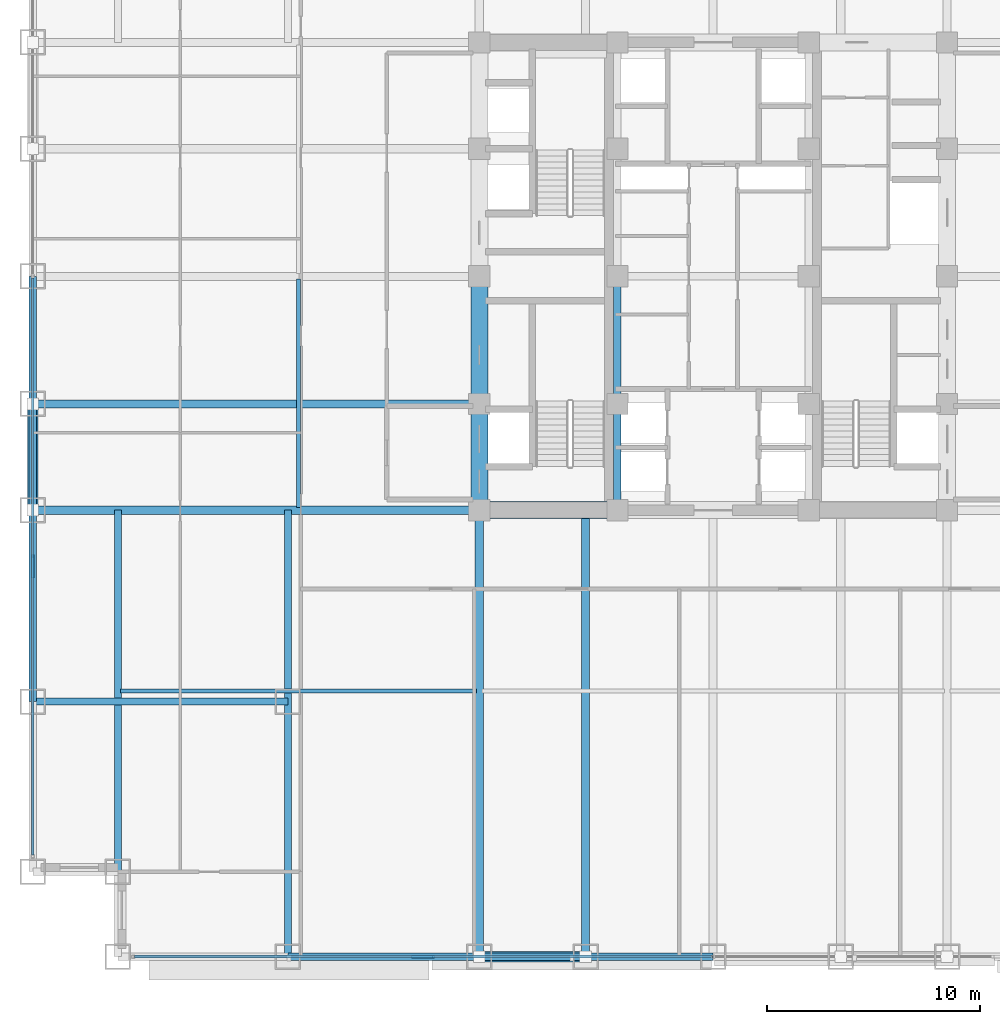
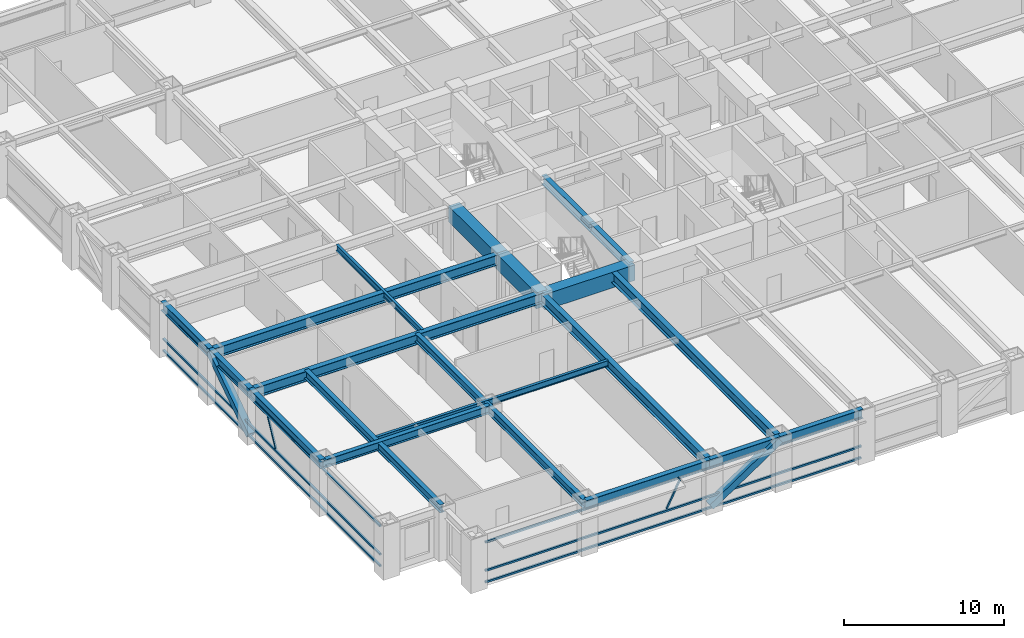
# One storey, part 3 of 32: 20 beams, 10 members, 2 elements without a shape of their own.
"""IFC4 building model written with IfcOpenShell, lengths in metres."""

from ifc_helpers import new_model, si_unit, direction, frame, origin, origin_2d, place, context, subcontext, project, spatial, rectangle, hollow_rectangle, i_section, extrude, source, transform, mapped, material, material_profile, profile_set, type_object, element, aggregate, save


model = new_model("IFC4")

# Units and contexts
model_context = context("Model", 3, precision=1e-05, world=origin(), true_north=direction((0.0, 1.0)))
body_context = subcontext(model_context, "Body", "Model", "MODEL_VIEW")
ifc_project = project(units=[si_unit("LENGTHUNIT", "METRE"), si_unit("AREAUNIT", "SQUARE_METRE"), si_unit("VOLUMEUNIT", "CUBIC_METRE"), si_unit("PLANEANGLEUNIT", "RADIAN"), si_unit("MASSUNIT", "GRAM", prefix="KILO")], contexts=[model_context])

# Site, building, storey
site_placement = place(None, origin())
site = spatial("IfcSite", under=ifc_project, at=site_placement, CompositionType="ELEMENT")
building_placement = place(site_placement, origin())
building = spatial("IfcBuilding", under=site, at=building_placement, Name="Khorayat Bourse Tower", CompositionType="ELEMENT")
storey_placement = place(building_placement, frame((0.0, 0.0, 128.300048828125)))
storey = spatial("IfcBuildingStorey", under=building, at=storey_placement, Name="L29", CompositionType="ELEMENT", Elevation=128.300048828125)

# Beams
ifc_material_1 = material(Name="Concrete C72/90", Category="concrete")
ifc_material_profile_1 = material_profile(ifc_material_1, rectangle(XDim=0.800048828125, YDim=1.199951171875, at=origin_2d()), Name="RC 800x1200")
ifc_profile_set_1 = profile_set([ifc_material_profile_1], Name="Concrete C72/90")
beam_type_1 = type_object("IfcBeamType", Name="BM-COUP-1200", PredefinedType="BEAM", material=ifc_profile_set_1)
shared_shape_1 = source(origin(), body_context, "Body", "SweptSolid", [
    extrude(rectangle(XDim=0.800048828125, YDim=1.199951171875, at=origin_2d()), origin(), (0.0, 0.0, 1.0), 5.0),
])
beam_1_placement = place(storey_placement, frame((-11.0, -11.0, 3.239990234375), z_axis=(0.0, 1.0, 0.0), x_axis=(-1.0, 0.0, 0.0)))
element("IfcBeam", 1, at=beam_1_placement, inside=storey, type_object=beam_type_1, Name="L29 BM-COUP-1200 BM-L29-CRX-01", PredefinedType="BEAM", context=body_context, shape_type="MappedRepresentation", body=[
    mapped(shared_shape_1, transform((0.0, 0.0, 0.0), scale=1.0)),
])
shared_shape_2 = source(origin(), body_context, "Body", "SweptSolid", [
    extrude(rectangle(XDim=0.800048828125, YDim=1.199951171875, at=origin_2d()), origin(), (0.0, 0.0, 1.0), 6.0),
])
beam_2_placement = place(storey_placement, frame((-11.0, -6.0, 3.239990234375), z_axis=(0.0, 1.0, 0.0), x_axis=(-1.0, 0.0, 0.0)))
element("IfcBeam", 2, at=beam_2_placement, inside=storey, type_object=beam_type_1, Name="L29 BM-COUP-1200 BM-L29-CRX-02", PredefinedType="BEAM", context=body_context, shape_type="MappedRepresentation", body=[
    mapped(shared_shape_2, transform((0.0, 0.0, 0.0), scale=1.0)),
])
ifc_material_2 = material(Name="Steel ASTM A992 Grade 50", Category="steel")
ifc_material_profile_2 = material_profile(ifc_material_2, i_section(OverallWidth=0.35498046875, OverallDepth=0.695068359375, WebThickness=0.015380859375, FlangeThickness=0.02490234375, FilletRadius=0.01806640625, at=origin_2d()), Name="W690X217")
ifc_profile_set_2 = profile_set([ifc_material_profile_2], Name="Steel ASTM A992 Grade 50")
beam_type_2 = type_object("IfcBeamType", Name="BM-GIRD-690", PredefinedType="BEAM", material=ifc_profile_set_2)
shared_shape_3 = source(origin(), body_context, "Body", "SweptSolid", [
    extrude(i_section(OverallWidth=0.35498046875, OverallDepth=0.695068359375, WebThickness=0.015380859375, FlangeThickness=0.02490234375, FilletRadius=0.01806640625, at=origin_2d()), origin(), (0.0, 0.0, 1.0), 5.0),
])
beam_3_placement = place(storey_placement, frame((-4.5, -11.0, 3.492431640625), z_axis=(0.0, 1.0, 0.0), x_axis=(-1.0, 0.0, 0.0)))
element("IfcBeam", 3, at=beam_3_placement, inside=storey, type_object=beam_type_2, Name="L29 BM-GIRD-690 BM-L29-CRX-05", PredefinedType="BEAM", context=body_context, shape_type="MappedRepresentation", body=[
    mapped(shared_shape_3, transform((0.0, 0.0, 0.0), scale=1.0)),
])
shared_shape_4 = source(origin(), body_context, "Body", "SweptSolid", [
    extrude(i_section(OverallWidth=0.35498046875, OverallDepth=0.695068359375, WebThickness=0.015380859375, FlangeThickness=0.02490234375, FilletRadius=0.01806640625, at=origin_2d()), origin(), (0.0, 0.0, 1.0), 6.0),
])
beam_4_placement = place(storey_placement, frame((-4.5, -6.0, 3.492431640625), z_axis=(0.0, 1.0, 0.0), x_axis=(-1.0, 0.0, 0.0)))
element("IfcBeam", 4, at=beam_4_placement, inside=storey, type_object=beam_type_2, Name="L29 BM-GIRD-690 BM-L29-CRX-06", PredefinedType="BEAM", context=body_context, shape_type="MappedRepresentation", body=[
    mapped(shared_shape_4, transform((0.0, 0.0, 0.0), scale=1.0)),
])
shared_shape_5 = source(origin(), body_context, "Body", "SweptSolid", [
    extrude(rectangle(XDim=0.800048828125, YDim=1.199951171875, at=origin_2d()), origin(), (0.0, 0.0, 1.0), 6.5),
])
beam_5_placement = place(storey_placement, frame((-11.0, -11.0, 3.239990234375), z_axis=(1.0, 0.0, 0.0), x_axis=(0.0, 1.0, 0.0)))
element("IfcBeam", 5, at=beam_5_placement, inside=storey, type_object=beam_type_1, Name="L29 BM-COUP-1200 BM-L29-CRY-17", PredefinedType="BEAM", context=body_context, shape_type="MappedRepresentation", body=[
    mapped(shared_shape_5, transform((0.0, 0.0, 0.0), scale=1.0)),
])
ifc_material_profile_3 = material_profile(ifc_material_2, i_section(OverallWidth=0.35498046875, OverallDepth=0.695068359375, WebThickness=0.015380859375, FlangeThickness=0.02490234375, FilletRadius=0.01806640625, at=origin_2d()), Name="W690X217")
ifc_profile_set_3 = profile_set([ifc_material_profile_3], Name="Steel ASTM A992 Grade 50")
beam_type_3 = type_object("IfcBeamType", Name="BM-SPAN-690", PredefinedType="SPANDREL", material=ifc_profile_set_3)
shared_shape_6 = source(origin(), body_context, "Body", "SweptSolid", [
    extrude(i_section(OverallWidth=0.35498046875, OverallDepth=0.695068359375, WebThickness=0.015380859375, FlangeThickness=0.02490234375, FilletRadius=0.01806640625, at=origin_2d()), origin(), (0.0, 0.0, 1.0), 9.0),
])
for number, where, z_axis, x_axis, name in (
    (6, (-20.0, -32.0, 3.492431640625), (1.0, 0.0, 0.0), (0.0, 1.0, 0.0), "L29 BM-SPAN-690 BM-L29-SPN-025"),
    (7, (-32.0, -20.0, 3.492431640625), (0.0, 1.0, 0.0), (-1.0, 0.0, 0.0), "L29 BM-SPAN-690 BM-L29-SPN-060"),
):
    element("IfcBeam", number, at=place(storey_placement, frame(where, z_axis=z_axis, x_axis=x_axis)), inside=storey, type_object=beam_type_3, Name=name, PredefinedType="SPANDREL", context=body_context, shape_type="MappedRepresentation", body=[
        mapped(shared_shape_6, transform((0.0, 0.0, 0.0), scale=1.0)),
    ])
shared_shape_7 = source(origin(), body_context, "Body", "SweptSolid", [
    extrude(i_section(OverallWidth=0.35498046875, OverallDepth=0.695068359375, WebThickness=0.015380859375, FlangeThickness=0.02490234375, FilletRadius=0.01806640625, at=origin_2d()), origin(), (0.0, 0.0, 1.0), 5.0),
])
for number, where, z_axis, x_axis, name in (
    (8, (-11.0, -32.0, 3.492431640625), (1.0, 0.0, 0.0), (0.0, 1.0, 0.0), "L29 BM-SPAN-690 BM-L29-SPN-026"),
    (9, (-32.0, -11.0, 3.492431640625), (0.0, 1.0, 0.0), (-1.0, 0.0, 0.0), "L29 BM-SPAN-690 BM-L29-SPN-059"),
):
    element("IfcBeam", number, at=place(storey_placement, frame(where, z_axis=z_axis, x_axis=x_axis)), inside=storey, type_object=beam_type_3, Name=name, PredefinedType="SPANDREL", context=body_context, shape_type="MappedRepresentation", body=[
        mapped(shared_shape_7, transform((0.0, 0.0, 0.0), scale=1.0)),
    ])
shared_shape_8 = source(origin(), body_context, "Body", "SweptSolid", [
    extrude(i_section(OverallWidth=0.35498046875, OverallDepth=0.695068359375, WebThickness=0.015380859375, FlangeThickness=0.02490234375, FilletRadius=0.01806640625, at=origin_2d()), origin(), (0.0, 0.0, 1.0), 6.0),
])
for number, where, z_axis, x_axis, name in (
    (10, (-6.0, -32.0, 3.492431640625), (1.0, 0.0, 0.0), (0.0, 1.0, 0.0), "L29 BM-SPAN-690 BM-L29-SPN-027"),
    (11, (-32.0, -6.0, 3.492431640625), (0.0, 1.0, 0.0), (-1.0, 0.0, 0.0), "L29 BM-SPAN-690 BM-L29-SPN-058"),
):
    element("IfcBeam", number, at=place(storey_placement, frame(where, z_axis=z_axis, x_axis=x_axis)), inside=storey, type_object=beam_type_3, Name=name, PredefinedType="SPANDREL", context=body_context, shape_type="MappedRepresentation", body=[
        mapped(shared_shape_8, transform((0.0, 0.0, 0.0), scale=1.0)),
    ])
ifc_material_profile_4 = material_profile(ifc_material_2, i_section(OverallWidth=0.324951171875, OverallDepth=0.615966796875, WebThickness=0.013916015625, FlangeThickness=0.021484375, FilletRadius=0.01611328125, at=origin_2d()), Name="W610X174")
ifc_profile_set_4 = profile_set([ifc_material_profile_4], Name="Steel ASTM A992 Grade 50")
beam_type_4 = type_object("IfcBeamType", Name="BM-GIRD-610", PredefinedType="BEAM", material=ifc_profile_set_4)
shared_shape_9 = source(origin(), body_context, "Body", "SweptSolid", [
    extrude(i_section(OverallWidth=0.324951171875, OverallDepth=0.615966796875, WebThickness=0.013916015625, FlangeThickness=0.021484375, FilletRadius=0.01611328125, at=origin_2d()), origin(), (0.0, 0.0, 1.0), 21.0),
])
beam_6_placement = place(storey_placement, frame((-20.0, -32.0, 3.531982421875), z_axis=(0.0, 1.0, 0.0), x_axis=(-1.0, 0.0, 0.0)))
element("IfcBeam", 12, at=beam_6_placement, inside=storey, type_object=beam_type_4, Name="L29 BM-GIRD-610 BM-L29-CNRY-084", PredefinedType="BEAM", context=body_context, shape_type="MappedRepresentation", body=[
    mapped(shared_shape_9, transform((0.0, 0.0, 0.0), scale=1.0)),
])
shared_shape_10 = source(origin(), body_context, "Body", "SweptSolid", [
    extrude(i_section(OverallWidth=0.324951171875, OverallDepth=0.615966796875, WebThickness=0.013916015625, FlangeThickness=0.021484375, FilletRadius=0.01611328125, at=origin_2d()), origin(), (0.0, 0.0, 1.0), 12.0),
])
beam_7_placement = place(storey_placement, frame((-32.0, -20.0, 3.531982421875), z_axis=(1.0, 0.0, 0.0), x_axis=(0.0, 1.0, 0.0)))
element("IfcBeam", 13, at=beam_7_placement, inside=storey, type_object=beam_type_4, Name="L29 BM-GIRD-610 BM-L29-CNRX-093", PredefinedType="BEAM", context=body_context, shape_type="MappedRepresentation", body=[
    mapped(shared_shape_10, transform((0.0, 0.0, 0.0), scale=1.0)),
])
ifc_material_profile_5 = material_profile(ifc_material_2, i_section(OverallWidth=0.194091796875, OverallDepth=0.468994140625, WebThickness=0.0126953125, FlangeThickness=0.0205078125, FilletRadius=0.012939453125, at=origin_2d()), Name="W460X106")
ifc_profile_set_5 = profile_set([ifc_material_profile_5], Name="Steel ASTM A992 Grade 50")
beam_type_5 = type_object("IfcBeamType", Name="BM-JOIST-460", PredefinedType="JOIST", material=ifc_profile_set_5)
shared_shape_11 = source(origin(), body_context, "Body", "SweptSolid", [
    extrude(i_section(OverallWidth=0.194091796875, OverallDepth=0.468994140625, WebThickness=0.0126953125, FlangeThickness=0.0205078125, FilletRadius=0.012939453125, at=origin_2d()), origin(), (0.0, 0.0, 1.0), 10.740234375),
])
beam_8_placement = place(storey_placement, frame((-19.5, -10.8701171875, 3.60546875), z_axis=(0.0, 1.0, 0.0), x_axis=(-1.0, 0.0, 0.0)))
element("IfcBeam", 14, at=beam_8_placement, inside=storey, type_object=beam_type_5, Name="L29 BM-JOIST-460 BM-L29-JSTY-102", PredefinedType="JOIST", context=body_context, shape_type="MappedRepresentation", body=[
    mapped(shared_shape_11, transform((0.0, 0.0, 0.0), scale=1.0)),
])
ifc_material_profile_6 = material_profile(ifc_material_2, i_section(OverallWidth=0.381103515625, OverallDepth=0.77294921875, WebThickness=0.0166015625, FlangeThickness=0.027587890625, FilletRadius=0.01806640625, at=origin_2d()), Name="W760X257")
ifc_profile_set_6 = profile_set([ifc_material_profile_6], Name="Steel ASTM A992 Grade 50")
beam_type_6 = type_object("IfcBeamType", Name="BM-GIRD-760", PredefinedType="BEAM", material=ifc_profile_set_6)
shared_shape_12 = source(origin(), body_context, "Body", "SweptSolid", [
    extrude(i_section(OverallWidth=0.381103515625, OverallDepth=0.77294921875, WebThickness=0.0166015625, FlangeThickness=0.027587890625, FilletRadius=0.01806640625, at=origin_2d()), origin(), (0.0, 0.0, 1.0), 21.0),
])
for number, where, z_axis, x_axis, name in (
    (15, (-11.0, -32.0, 3.453369140625), (0.0, 1.0, 0.0), (-1.0, 0.0, 0.0), "L29 BM-GIRD-760 BM-L29-RADY-065"),
    (16, (-6.0, -32.0, 3.453369140625), (0.0, 1.0, 0.0), (-1.0, 0.0, 0.0), "L29 BM-GIRD-760 BM-L29-RADY-067"),
    (17, (-32.0, -11.0, 3.453369140625), (1.0, 0.0, 0.0), (0.0, 1.0, 0.0), "L29 BM-GIRD-760 BM-L29-RADX-075"),
    (18, (-32.0, -6.0, 3.453369140625), (1.0, 0.0, 0.0), (0.0, 1.0, 0.0), "L29 BM-GIRD-760 BM-L29-RADX-077"),
):
    element("IfcBeam", number, at=place(storey_placement, frame(where, z_axis=z_axis, x_axis=x_axis)), inside=storey, type_object=beam_type_6, Name=name, PredefinedType="BEAM", context=body_context, shape_type="MappedRepresentation", body=[
        mapped(shared_shape_12, transform((0.0, 0.0, 0.0), scale=1.0)),
    ])
shared_shape_13 = source(origin(), body_context, "Body", "SweptSolid", [
    extrude(i_section(OverallWidth=0.324951171875, OverallDepth=0.615966796875, WebThickness=0.013916015625, FlangeThickness=0.021484375, FilletRadius=0.01611328125, at=origin_2d()), origin(), (0.0, 0.0, 1.0), 17.0),
])
beam_9_placement = place(storey_placement, frame((-28.0, -28.0, 3.531982421875), z_axis=(0.0, 1.0, 0.0), x_axis=(-1.0, 0.0, 0.0)))
element("IfcBeam", 19, at=beam_9_placement, inside=storey, type_object=beam_type_4, Name="L29 BM-GIRD-610 BM-L29-CNRY-088", PredefinedType="BEAM", context=body_context, shape_type="MappedRepresentation", body=[
    mapped(shared_shape_13, transform((0.0, 0.0, 0.0), scale=1.0)),
])
shared_shape_14 = source(origin(), body_context, "Body", "SweptSolid", [
    extrude(i_section(OverallWidth=0.194091796875, OverallDepth=0.468994140625, WebThickness=0.0126953125, FlangeThickness=0.0205078125, FilletRadius=0.012939453125, at=origin_2d()), origin(), (0.0, 0.0, 1.0), 16.740234375),
])
beam_10_placement = place(storey_placement, frame((-27.8701171875, -19.5, 3.60546875), z_axis=(1.0, 0.0, 0.0), x_axis=(0.0, 1.0, 0.0)))
element("IfcBeam", 20, at=beam_10_placement, inside=storey, type_object=beam_type_5, Name="L29 BM-JOIST-460 BM-L29-JSTX-096", PredefinedType="JOIST", context=body_context, shape_type="MappedRepresentation", body=[
    mapped(shared_shape_14, transform((0.0, 0.0, 0.0), scale=1.0)),
])

# Members
ifc_material_3 = material(Name="Steel EN 10025-4 S460M", Category="steel")
ifc_material_profile_7 = material_profile(ifc_material_3, hollow_rectangle(XDim=0.5, YDim=0.5, WallThickness=0.028076171875, at=origin_2d()), Name="HSS 500x500x28")
ifc_profile_set_7 = profile_set([ifc_material_profile_7], Name="Steel EN 10025-4 S460M")
member_type_1 = type_object("IfcMemberType", Name="MBR-TUBE-500", PredefinedType="BRACE", material=ifc_profile_set_7)
shared_shape_15 = source(origin(), body_context, "Body", "SweptSolid", [
    extrude(hollow_rectangle(XDim=0.5, YDim=0.5, WallThickness=0.028076171875, at=origin_2d()), origin(), (0.0, 0.0, 1.0), 6.012939453125),
])
for number, where, z_axis, x_axis, name in (
    (21, (-11.0, -32.0, 0.25), (0.831550226979, 0.0, 0.555449565677), (0.0, 1.0, 0.0), "L29 Perimeter Tube Brace 01"),
    (22, (-32.0, -11.0, 0.25), (0.0, 0.831550226979, 0.555449565677), (-1.0, 0.0, 0.0), "L29 Perimeter Tube Brace 05"),
):
    element("IfcMember", number, at=place(storey_placement, frame(where, z_axis=z_axis, x_axis=x_axis)), inside=storey, type_object=member_type_1, Name=name, PredefinedType="BRACE", context=body_context, shape_type="MappedRepresentation", body=[
        mapped(shared_shape_15, transform((0.0, 0.0, 0.0), scale=1.0)),
    ])

# Curtain wall, members
ifc_material_4 = material(Name="Aluminium EN AW-6063 T6", Category="aluminium")
curtain_wall_type = type_object("IfcCurtainWallType", Name="CW-SYS-02", PredefinedType="NOTDEFINED", material=ifc_material_4)
curtain_wall_1_placement = place(storey_placement, origin())
curtain_wall_1 = element("IfcCurtainWall", 23, at=curtain_wall_1_placement, inside=storey, type_object=curtain_wall_type, Name="L29 Curtain Wall CW-L29-S1", PredefinedType="NOTDEFINED")
ifc_material_profile_8 = material_profile(ifc_material_4, hollow_rectangle(XDim=0.139892578125, YDim=0.139892578125, WallThickness=0.006103515625, at=origin_2d()), Name="ALU 140x140x6")
ifc_profile_set_8 = profile_set([ifc_material_profile_8], Name="Aluminium EN AW-6063 T6")
member_type_2 = type_object("IfcMemberType", Name="CWT-HORZ-140", PredefinedType="USERDEFINED", material=ifc_profile_set_8)
shared_shape_16 = source(origin(), body_context, "Body", "SweptSolid", [
    extrude(hollow_rectangle(XDim=0.139892578125, YDim=0.139892578125, WallThickness=0.006103515625, at=origin_2d()), origin(), (0.0, 0.0, 1.0), 27.139892578125),
])
member_1_placement = place(storey_placement, frame((-27.2099609375, -32.0, 0.070068359375), z_axis=(1.0, 0.0, 0.0), x_axis=(0.0, 1.0, 0.0)))
member_1 = element("IfcMember", 24, at=member_1_placement, type_object=member_type_2, Name="CW-L29-S1 Horizontal Transom 1-1", ObjectType="TRANSOM", PredefinedType="USERDEFINED", context=body_context, shape_type="MappedRepresentation", body=[
    mapped(shared_shape_16, transform((0.0, 0.0, 0.0), scale=1.0)),
])
member_2_placement = place(storey_placement, frame((-27.2099609375, -32.0, 0.949951171875), z_axis=(1.0, 0.0, 0.0), x_axis=(0.0, 1.0, 0.0)))
member_2 = element("IfcMember", 25, at=member_2_placement, type_object=member_type_2, Name="CW-L29-S1 Horizontal Transom 1-2", ObjectType="TRANSOM", PredefinedType="USERDEFINED", context=body_context, shape_type="MappedRepresentation", body=[
    mapped(shared_shape_16, transform((0.0, 0.0, 0.0), scale=1.0)),
])
member_3_placement = place(storey_placement, frame((-27.2099609375, -32.0, 3.119873046875), z_axis=(1.0, 0.0, 0.0), x_axis=(0.0, 1.0, 0.0)))
member_3 = element("IfcMember", 26, at=member_3_placement, type_object=member_type_2, Name="CW-L29-S1 Horizontal Transom 1-3", ObjectType="TRANSOM", PredefinedType="USERDEFINED", context=body_context, shape_type="MappedRepresentation", body=[
    mapped(shared_shape_16, transform((0.0, 0.0, 0.0), scale=1.0)),
])

curtain_wall_2_placement = place(storey_placement, origin())
curtain_wall_2 = element("IfcCurtainWall", 27, at=curtain_wall_2_placement, inside=storey, type_object=curtain_wall_type, Name="L29 Curtain Wall CW-L29-W1", PredefinedType="NOTDEFINED")
member_4_placement = place(storey_placement, frame((-32.0, -27.2099609375, 0.070068359375), z_axis=(0.0, 1.0, 0.0), x_axis=(-1.0, 0.0, 0.0)))
member_4 = element("IfcMember", 28, at=member_4_placement, type_object=member_type_2, Name="CW-L29-W1 Horizontal Transom 1-1", ObjectType="TRANSOM", PredefinedType="USERDEFINED", context=body_context, shape_type="MappedRepresentation", body=[
    mapped(shared_shape_16, transform((0.0, 0.0, 0.0), scale=1.0)),
])
member_5_placement = place(storey_placement, frame((-32.0, -27.2099609375, 0.949951171875), z_axis=(0.0, 1.0, 0.0), x_axis=(-1.0, 0.0, 0.0)))
member_5 = element("IfcMember", 29, at=member_5_placement, type_object=member_type_2, Name="CW-L29-W1 Horizontal Transom 1-2", ObjectType="TRANSOM", PredefinedType="USERDEFINED", context=body_context, shape_type="MappedRepresentation", body=[
    mapped(shared_shape_16, transform((0.0, 0.0, 0.0), scale=1.0)),
])
member_6_placement = place(storey_placement, frame((-32.0, -27.2099609375, 3.119873046875), z_axis=(0.0, 1.0, 0.0), x_axis=(-1.0, 0.0, 0.0)))
member_6 = element("IfcMember", 30, at=member_6_placement, type_object=member_type_2, Name="CW-L29-W1 Horizontal Transom 1-3", ObjectType="TRANSOM", PredefinedType="USERDEFINED", context=body_context, shape_type="MappedRepresentation", body=[
    mapped(shared_shape_16, transform((0.0, 0.0, 0.0), scale=1.0)),
])

# Member
ifc_material_profile_9 = material_profile(ifc_material_4, hollow_rectangle(XDim=0.1201171875, YDim=0.1201171875, WallThickness=0.0048828125, at=origin_2d()), Name="ALU 120x120x5")
ifc_profile_set_9 = profile_set([ifc_material_profile_9], Name="Aluminium EN AW-6063 T6")
member_type_3 = type_object("IfcMemberType", Name="CWM-DIAG-120", PredefinedType="MULLION", material=ifc_profile_set_9)
shared_shape_17 = source(origin(), body_context, "Body", "SweptSolid", [
    extrude(hollow_rectangle(XDim=0.1201171875, YDim=0.1201171875, WallThickness=0.0048828125, at=origin_2d()), origin(), (0.0, 0.0, 1.0), 2.11328125),
])
member_7_placement = place(storey_placement, frame((-14.132080078125, -32.0, 1.099853515625), z_axis=(0.465694055905, 0.0, 0.884945787207), x_axis=(0.0, 1.0, 0.0)))
member_7 = element("IfcMember", 31, at=member_7_placement, type_object=member_type_3, Name="CW-L29-S1 Faceted Diagonal Mullion 1", PredefinedType="MULLION", context=body_context, shape_type="MappedRepresentation", body=[
    mapped(shared_shape_17, transform((0.0, 0.0, 0.0), scale=1.0)),
])

aggregate(curtain_wall_1, [member_1, member_2, member_3, member_7])

member_8_placement = place(storey_placement, frame((-32.0, -14.132080078125, 1.099853515625), z_axis=(0.0, 0.465694055905, 0.884945787207), x_axis=(-1.0, 0.0, 0.0)))
member_8 = element("IfcMember", 32, at=member_8_placement, type_object=member_type_3, Name="CW-L29-W1 Faceted Diagonal Mullion 1", PredefinedType="MULLION", context=body_context, shape_type="MappedRepresentation", body=[
    mapped(shared_shape_17, transform((0.0, 0.0, 0.0), scale=1.0)),
])

aggregate(curtain_wall_2, [member_4, member_5, member_6, member_8])

save(model, "model.ifc")
